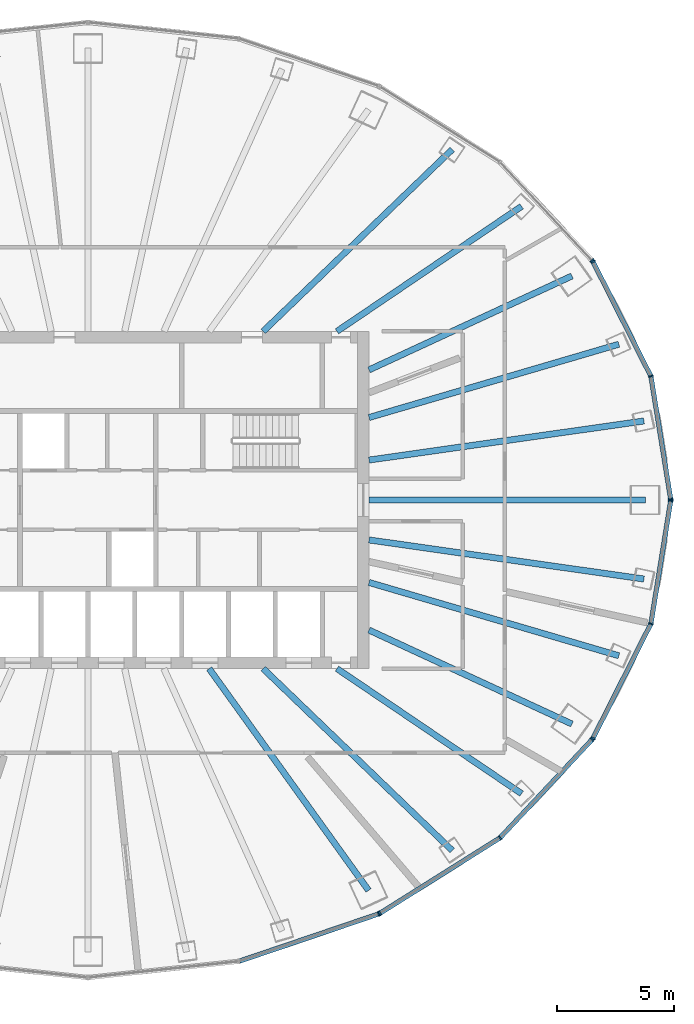
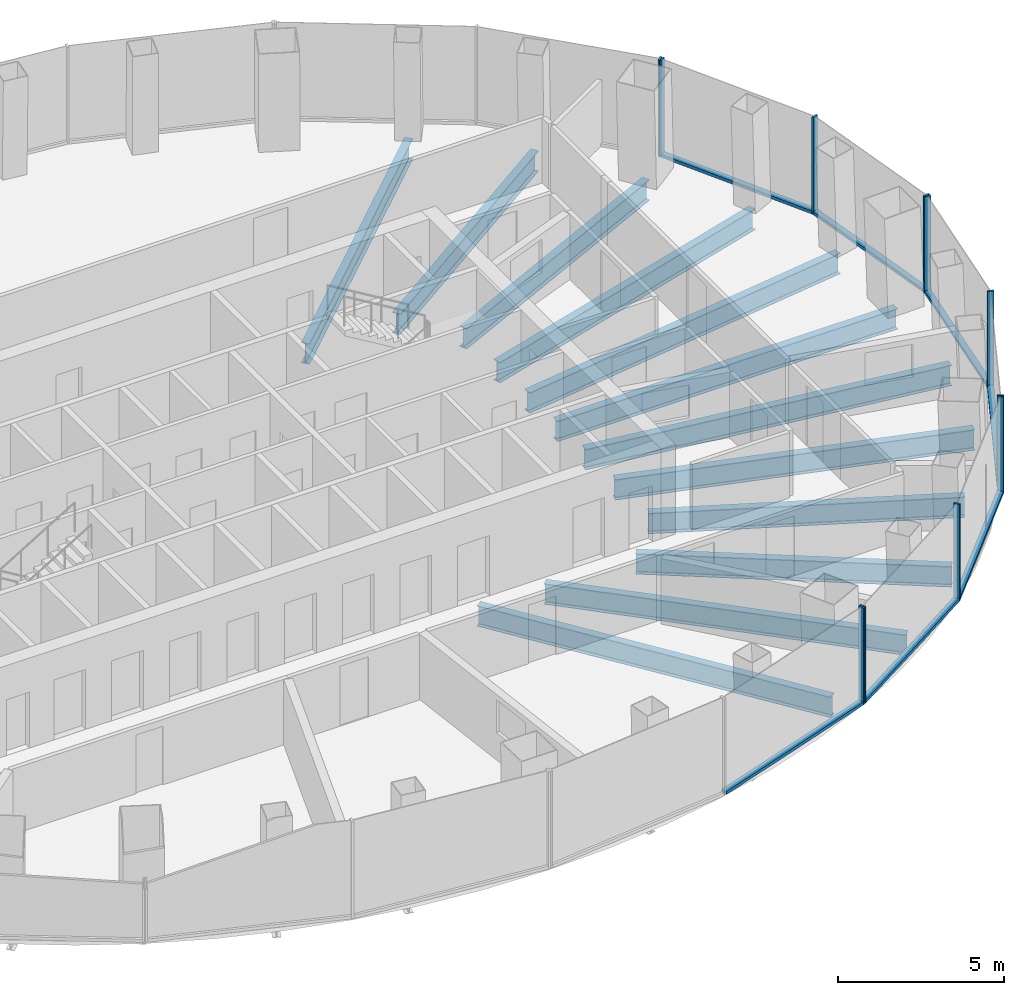
# One storey, part 4 of 12: 18 members, 12 beams, 5 elements without a shape of their own.
"""IFC4 building model written with IfcOpenShell, lengths in metres."""

from ifc_helpers import new_model, si_unit, direction, frame, origin, origin_2d, place, context, subcontext, project, spatial, rectangle, i_section, extrude, material, layer, layer_set, material_profile, profile_set, type_object, element, aggregate, save


model = new_model("IFC4")

# Units and contexts
model_context = context("Model", 3, precision=1e-05, world=origin(), true_north=direction((0.0, 1.0)))
body_context = subcontext(model_context, "Body", "Model", "MODEL_VIEW")
ifc_project = project(units=[si_unit("LENGTHUNIT", "METRE"), si_unit("AREAUNIT", "SQUARE_METRE"), si_unit("VOLUMEUNIT", "CUBIC_METRE"), si_unit("PLANEANGLEUNIT", "RADIAN"), si_unit("MASSUNIT", "GRAM", prefix="KILO")], contexts=[model_context])

# Site, building, storey
site_placement = place(None, origin())
site = spatial("IfcSite", under=ifc_project, at=site_placement, CompositionType="ELEMENT")
building_placement = place(site_placement, origin())
building = spatial("IfcBuilding", under=site, at=building_placement, Name="Siaravel Broadcast Tower", CompositionType="ELEMENT")
storey_placement = place(building_placement, frame((0.0, 0.0, 134.10009765625)))
storey = spatial("IfcBuildingStorey", under=building, at=storey_placement, Name="L32", CompositionType="ELEMENT", Elevation=134.10009765625)

# Beams
ifc_material_1 = material(Name="Steel S355", Category="steel")
ifc_material_profile_1 = material_profile(ifc_material_1, i_section(OverallWidth=0.26513671875, OverallDepth=0.75390625, WebThickness=0.0126953125, FlangeThickness=0.017578125, FilletRadius=0.0166015625, at=origin_2d()))
ifc_profile_set_1 = profile_set([ifc_material_profile_1], Name="Steel S355")
beam_type = type_object("IfcBeamType", Name="BM-UB 762x267x147", PredefinedType="BEAM", material=ifc_profile_set_1)
beam_1_placement = place(storey_placement, frame((23.801025390625, 0.0, -0.527099609375), z_axis=(-1.0, 0.0, 0.0), x_axis=(0.0, -1.0, 0.0)))
element("IfcBeam", 1, at=beam_1_placement, inside=storey, type_object=beam_type, Name="Radial beam RB01", PredefinedType="BEAM", context=body_context, shape_type="SweptSolid", body=[
    extrude(i_section(OverallWidth=0.26513671875, OverallDepth=0.75390625, WebThickness=0.0126953125, FlangeThickness=0.017578125, FilletRadius=0.0166015625, at=origin_2d()), origin(), (0.0, 0.0, 1.0), 11.801025390625),
])
beam_2_placement = place(storey_placement, frame((23.740478515625, 3.37353515625, -0.527099609375), z_axis=(-0.990052581, -0.140697859, 0.0), x_axis=(0.140697859, -0.990052581, 0.0)))
element("IfcBeam", 2, at=beam_2_placement, inside=storey, type_object=beam_type, Name="Radial beam RB02", PredefinedType="BEAM", context=body_context, shape_type="SweptSolid", body=[
    extrude(i_section(OverallWidth=0.26513671875, OverallDepth=0.75390625, WebThickness=0.0126953125, FlangeThickness=0.017578125, FilletRadius=0.0166015625, at=origin_2d()), origin(), (0.0, 0.0, 1.0), 11.8583984375),
])
beam_3_placement = place(storey_placement, frame((22.668212890625, 6.651123046875, -0.527099609375), z_axis=(-0.959549921, -0.281538539, 0.0), x_axis=(0.281538539, -0.959549921, 0.0)))
element("IfcBeam", 3, at=beam_3_placement, inside=storey, type_object=beam_type, Name="Radial beam RB03", PredefinedType="BEAM", context=body_context, shape_type="SweptSolid", body=[
    extrude(i_section(OverallWidth=0.26513671875, OverallDepth=0.75390625, WebThickness=0.0126953125, FlangeThickness=0.017578125, FilletRadius=0.0166015625, at=origin_2d()), origin(), (0.0, 0.0, 1.0), 11.117919921875),
])
beam_4_placement = place(storey_placement, frame((20.665771484375, 9.564697265625, -0.527099609375), z_axis=(-0.907514375, -0.420021022, 0.0), x_axis=(0.420021022, -0.907514375, 0.0)))
element("IfcBeam", 4, at=beam_4_placement, inside=storey, type_object=beam_type, Name="Radial beam RB04", PredefinedType="BEAM", context=body_context, shape_type="SweptSolid", body=[
    extrude(i_section(OverallWidth=0.26513671875, OverallDepth=0.75390625, WebThickness=0.0126953125, FlangeThickness=0.017578125, FilletRadius=0.0166015625, at=origin_2d()), origin(), (0.0, 0.0, 1.0), 9.548828125),
])
beam_5_placement = place(storey_placement, frame((18.516357421875, 12.538330078125, -0.527099609375), z_axis=(-0.82802046, -0.560697884, 0.0), x_axis=(0.560697884, -0.82802046, 0.0)))
element("IfcBeam", 5, at=beam_5_placement, inside=storey, type_object=beam_type, Name="Radial beam RB05", PredefinedType="BEAM", context=body_context, shape_type="SweptSolid", body=[
    extrude(i_section(OverallWidth=0.26513671875, OverallDepth=0.75390625, WebThickness=0.0126953125, FlangeThickness=0.017578125, FilletRadius=0.0166015625, at=origin_2d()), origin(), (0.0, 0.0, 1.0), 9.52099609375),
])
beam_6_placement = place(storey_placement, frame((15.552978515625, 14.965576171875, -0.527099609375), z_axis=(-0.720578335, -0.693373538, 0.0), x_axis=(0.693373538, -0.720578335, 0.0)))
element("IfcBeam", 6, at=beam_6_placement, inside=storey, type_object=beam_type, Name="Radial beam RB06", PredefinedType="BEAM", context=body_context, shape_type="SweptSolid", body=[
    extrude(i_section(OverallWidth=0.26513671875, OverallDepth=0.75390625, WebThickness=0.0126953125, FlangeThickness=0.017578125, FilletRadius=0.0166015625, at=origin_2d()), origin(), (0.0, 0.0, 1.0), 11.19970703125),
])
beam_7_placement = place(storey_placement, frame((11.980224609375, -16.669677734375, -0.527099609375), z_axis=(-0.58359636, 0.812043895, 0.0), x_axis=(-0.812043895, -0.58359636, 0.0)))
element("IfcBeam", 7, at=beam_7_placement, inside=storey, type_object=beam_type, Name="Radial beam RB31", PredefinedType="BEAM", context=body_context, shape_type="SweptSolid", body=[
    extrude(i_section(OverallWidth=0.26513671875, OverallDepth=0.75390625, WebThickness=0.0126953125, FlangeThickness=0.017578125, FilletRadius=0.0166015625, at=origin_2d()), origin(), (0.0, 0.0, 1.0), 11.66162109375),
])
beam_8_placement = place(storey_placement, frame((15.552978515625, -14.965576171875, -0.527099609375), z_axis=(-0.720578335, 0.693373538, 0.0), x_axis=(-0.693373538, -0.720578335, 0.0)))
element("IfcBeam", 8, at=beam_8_placement, inside=storey, type_object=beam_type, Name="Radial beam RB32", PredefinedType="BEAM", context=body_context, shape_type="SweptSolid", body=[
    extrude(i_section(OverallWidth=0.26513671875, OverallDepth=0.75390625, WebThickness=0.0126953125, FlangeThickness=0.017578125, FilletRadius=0.0166015625, at=origin_2d()), origin(), (0.0, 0.0, 1.0), 11.19970703125),
])
beam_9_placement = place(storey_placement, frame((18.516357421875, -12.538330078125, -0.527099609375), z_axis=(-0.82802046, 0.560697884, 0.0), x_axis=(-0.560697884, -0.82802046, 0.0)))
element("IfcBeam", 9, at=beam_9_placement, inside=storey, type_object=beam_type, Name="Radial beam RB33", PredefinedType="BEAM", context=body_context, shape_type="SweptSolid", body=[
    extrude(i_section(OverallWidth=0.26513671875, OverallDepth=0.75390625, WebThickness=0.0126953125, FlangeThickness=0.017578125, FilletRadius=0.0166015625, at=origin_2d()), origin(), (0.0, 0.0, 1.0), 9.52099609375),
])
beam_10_placement = place(storey_placement, frame((20.665771484375, -9.564697265625, -0.527099609375), z_axis=(-0.907514375, 0.420021022, 0.0), x_axis=(-0.420021022, -0.907514375, 0.0)))
element("IfcBeam", 10, at=beam_10_placement, inside=storey, type_object=beam_type, Name="Radial beam RB34", PredefinedType="BEAM", context=body_context, shape_type="SweptSolid", body=[
    extrude(i_section(OverallWidth=0.26513671875, OverallDepth=0.75390625, WebThickness=0.0126953125, FlangeThickness=0.017578125, FilletRadius=0.0166015625, at=origin_2d()), origin(), (0.0, 0.0, 1.0), 9.548828125),
])
beam_11_placement = place(storey_placement, frame((22.668212890625, -6.651123046875, -0.527099609375), z_axis=(-0.959549921, 0.281538539, 0.0), x_axis=(-0.281538539, -0.959549921, 0.0)))
element("IfcBeam", 11, at=beam_11_placement, inside=storey, type_object=beam_type, Name="Radial beam RB35", PredefinedType="BEAM", context=body_context, shape_type="SweptSolid", body=[
    extrude(i_section(OverallWidth=0.26513671875, OverallDepth=0.75390625, WebThickness=0.0126953125, FlangeThickness=0.017578125, FilletRadius=0.0166015625, at=origin_2d()), origin(), (0.0, 0.0, 1.0), 11.117919921875),
])
beam_12_placement = place(storey_placement, frame((23.740478515625, -3.37353515625, -0.527099609375), z_axis=(-0.990052581, 0.140697859, 0.0), x_axis=(-0.140697859, -0.990052581, 0.0)))
element("IfcBeam", 12, at=beam_12_placement, inside=storey, type_object=beam_type, Name="Radial beam RB36", PredefinedType="BEAM", context=body_context, shape_type="SweptSolid", body=[
    extrude(i_section(OverallWidth=0.26513671875, OverallDepth=0.75390625, WebThickness=0.0126953125, FlangeThickness=0.017578125, FilletRadius=0.0166015625, at=origin_2d()), origin(), (0.0, 0.0, 1.0), 11.8583984375),
])

# Curtain wall, members
ifc_material_2 = material(Name="Aluminium 6063-T6", Category="aluminium")
ifc_layer = layer(ifc_material_2, 0.199951171875)
ifc_layer_set = layer_set([ifc_layer], Name="Aluminium 6063-T6")
curtain_wall_type = type_object("IfcCurtainWallType", Name="Unitised curtain wall, zone 2", PredefinedType="NOTDEFINED", material=ifc_layer_set)
curtain_wall_1_placement = place(storey_placement, origin())
curtain_wall_1 = element("IfcCurtainWall", 13, at=curtain_wall_1_placement, inside=storey, type_object=curtain_wall_type, Name="L32 Unitised curtain wall, zone 2 01", PredefinedType="NOTDEFINED")
ifc_material_profile_2 = material_profile(ifc_material_2, rectangle(XDim=0.199951171875, YDim=0.06494140625, at=origin_2d()))
ifc_profile_set_2 = profile_set([ifc_material_profile_2], Name="Aluminium 6063-T6")
member_type_1 = type_object("IfcMemberType", Name="CW-Z2 mullion", PredefinedType="MULLION", material=ifc_profile_set_2)
member_1_placement = place(storey_placement, frame((24.881591796875, 0.031982421875, 0.0), z_axis=(0.0, 0.0, 1.0), x_axis=(-0.987329298, -0.158684773, 0.0)))
member_1 = element("IfcMember", 14, at=member_1_placement, type_object=member_type_1, Name="CW-Z2 mullion 1", PredefinedType="MULLION", context=body_context, shape_type="SweptSolid", body=[
    extrude(rectangle(XDim=0.199951171875, YDim=0.06494140625, at=origin_2d()), origin(), (0.0, 0.0, 1.0), 3.5498046875),
])
member_2_placement = place(storey_placement, frame((24.0380859375, 5.281005859375, 0.0), z_axis=(0.0, 0.0, 1.0), x_axis=(-0.951177626, -0.308644007, 0.0)))
member_2 = element("IfcMember", 15, at=member_2_placement, type_object=member_type_1, Name="CW-Z2 mullion 2", PredefinedType="MULLION", context=body_context, shape_type="SweptSolid", body=[
    extrude(rectangle(XDim=0.199951171875, YDim=0.06494140625, at=origin_2d()), origin(), (0.0, 0.0, 1.0), 3.5498046875),
])
member_3_placement = place(storey_placement, frame((21.56494140625, 10.172119140625, 0.0), z_axis=(0.0, 0.0, 1.0), x_axis=(-0.892392954, -0.451259145, 0.0)))
member_3 = element("IfcMember", 16, at=member_3_placement, type_object=member_type_1, Name="CW-Z2 mullion 3", PredefinedType="MULLION", context=body_context, shape_type="SweptSolid", body=[
    extrude(rectangle(XDim=0.199951171875, YDim=0.06494140625, at=origin_2d()), origin(), (0.0, 0.0, 1.0), 3.5498046875),
])

# Curtain wall, member
curtain_wall_2_placement = place(storey_placement, origin())
curtain_wall_2 = element("IfcCurtainWall", 17, at=curtain_wall_2_placement, inside=storey, type_object=curtain_wall_type, Name="L32 Unitised curtain wall, zone 2 02", PredefinedType="NOTDEFINED")
member_4_placement = place(storey_placement, frame((21.528076171875, 10.224609375, 0.0), z_axis=(0.0, 0.0, 1.0), x_axis=(-0.729806913, -0.683653326, 0.0)))
member_4 = element("IfcMember", 18, at=member_4_placement, type_object=member_type_1, Name="CW-Z2 mullion 1", PredefinedType="MULLION", context=body_context, shape_type="SweptSolid", body=[
    extrude(rectangle(XDim=0.199951171875, YDim=0.06494140625, at=origin_2d()), origin(), (0.0, 0.0, 1.0), 3.5498046875),
])
aggregate(curtain_wall_2, [member_4])

curtain_wall_3_placement = place(storey_placement, origin())
curtain_wall_3 = element("IfcCurtainWall", 19, at=curtain_wall_3_placement, inside=storey, type_object=curtain_wall_type, Name="L32 Unitised curtain wall, zone 2 10", PredefinedType="NOTDEFINED")
member_5_placement = place(storey_placement, frame((12.408935546875, -17.67431640625, 0.0), z_axis=(0.0, 0.0, 1.0), x_axis=(-0.321302097, 0.946976749, 0.0)))
member_5 = element("IfcMember", 20, at=member_5_placement, type_object=member_type_1, Name="CW-Z2 mullion 3", PredefinedType="MULLION", context=body_context, shape_type="SweptSolid", body=[
    extrude(rectangle(XDim=0.199951171875, YDim=0.06494140625, at=origin_2d()), origin(), (0.0, 0.0, 1.0), 3.5498046875),
])

# Curtain wall, members
curtain_wall_4_placement = place(storey_placement, origin())
curtain_wall_4 = element("IfcCurtainWall", 21, at=curtain_wall_4_placement, inside=storey, type_object=curtain_wall_type, Name="L32 Unitised curtain wall, zone 2 11", PredefinedType="NOTDEFINED")
member_6_placement = place(storey_placement, frame((12.46728515625, -17.646484375, 0.0), z_axis=(0.0, 0.0, 1.0), x_axis=(-0.532151141, 0.846649374, 0.0)))
member_6 = element("IfcMember", 22, at=member_6_placement, type_object=member_type_1, Name="CW-Z2 mullion 1", PredefinedType="MULLION", context=body_context, shape_type="SweptSolid", body=[
    extrude(rectangle(XDim=0.199951171875, YDim=0.06494140625, at=origin_2d()), origin(), (0.0, 0.0, 1.0), 3.5498046875),
])
member_7_placement = place(storey_placement, frame((17.593994140625, -14.42431640625, 0.0), z_axis=(0.0, 0.0, 1.0), x_axis=(-0.63622045, 0.771507317, 0.0)))
member_7 = element("IfcMember", 23, at=member_7_placement, type_object=member_type_1, Name="CW-Z2 mullion 2", PredefinedType="MULLION", context=body_context, shape_type="SweptSolid", body=[
    extrude(rectangle(XDim=0.199951171875, YDim=0.06494140625, at=origin_2d()), origin(), (0.0, 0.0, 1.0), 3.5498046875),
])
member_8_placement = place(storey_placement, frame((21.528076171875, -10.224609375, 0.0), z_axis=(0.0, 0.0, 1.0), x_axis=(-0.729806913, 0.683653326, 0.0)))
member_8 = element("IfcMember", 24, at=member_8_placement, type_object=member_type_1, Name="CW-Z2 mullion 3", PredefinedType="MULLION", context=body_context, shape_type="SweptSolid", body=[
    extrude(rectangle(XDim=0.199951171875, YDim=0.06494140625, at=origin_2d()), origin(), (0.0, 0.0, 1.0), 3.5498046875),
])

curtain_wall_5_placement = place(storey_placement, origin())
curtain_wall_5 = element("IfcCurtainWall", 25, at=curtain_wall_5_placement, inside=storey, type_object=curtain_wall_type, Name="L32 Unitised curtain wall, zone 2 12", PredefinedType="NOTDEFINED")
member_9_placement = place(storey_placement, frame((21.56494140625, -10.172119140625, 0.0), z_axis=(0.0, 0.0, 1.0), x_axis=(-0.892392954, 0.451259145, 0.0)))
member_9 = element("IfcMember", 26, at=member_9_placement, type_object=member_type_1, Name="CW-Z2 mullion 1", PredefinedType="MULLION", context=body_context, shape_type="SweptSolid", body=[
    extrude(rectangle(XDim=0.199951171875, YDim=0.06494140625, at=origin_2d()), origin(), (0.0, 0.0, 1.0), 3.5498046875),
])
member_10_placement = place(storey_placement, frame((24.0380859375, -5.281005859375, 0.0), z_axis=(0.0, 0.0, 1.0), x_axis=(-0.951177626, 0.308644007, 0.0)))
member_10 = element("IfcMember", 27, at=member_10_placement, type_object=member_type_1, Name="CW-Z2 mullion 2", PredefinedType="MULLION", context=body_context, shape_type="SweptSolid", body=[
    extrude(rectangle(XDim=0.199951171875, YDim=0.06494140625, at=origin_2d()), origin(), (0.0, 0.0, 1.0), 3.5498046875),
])
member_11_placement = place(storey_placement, frame((24.881591796875, -0.031982421875, 0.0), z_axis=(0.0, 0.0, 1.0), x_axis=(-0.987329298, 0.158684773, 0.0)))
member_11 = element("IfcMember", 28, at=member_11_placement, type_object=member_type_1, Name="CW-Z2 mullion 3", PredefinedType="MULLION", context=body_context, shape_type="SweptSolid", body=[
    extrude(rectangle(XDim=0.199951171875, YDim=0.06494140625, at=origin_2d()), origin(), (0.0, 0.0, 1.0), 3.5498046875),
])

# Member
ifc_material_profile_3 = material_profile(ifc_material_2, rectangle(XDim=0.199951171875, YDim=0.110107421875, at=origin_2d()))
ifc_profile_set_3 = profile_set([ifc_material_profile_3], Name="Aluminium 6063-T6")
member_type_2 = type_object("IfcMemberType", Name="CW-Z2 transom", PredefinedType="USERDEFINED", material=ifc_profile_set_3)
member_12_placement = place(storey_placement, frame((24.876708984375, 0.064208984375, 0.054931640625), z_axis=(-0.158726655, 0.987322566, 0.0), x_axis=(-0.987322566, -0.158726655, 0.0)))
member_12 = element("IfcMember", 29, at=member_12_placement, type_object=member_type_2, Name="CW-Z2 transom 1", ObjectType="TRANSOM", PredefinedType="USERDEFINED", context=body_context, shape_type="SweptSolid", body=[
    extrude(rectangle(XDim=0.199951171875, YDim=0.110107421875, at=origin_2d()), origin(), (0.0, 0.0, 1.0), 5.251220703125),
])

member_13_placement = place(storey_placement, frame((24.0234375, 5.31005859375, 0.054931640625), z_axis=(-0.45124818, 0.892398498, 0.0), x_axis=(-0.892398498, -0.45124818, 0.0)))
member_13 = element("IfcMember", 30, at=member_13_placement, type_object=member_type_2, Name="CW-Z2 transom 2", ObjectType="TRANSOM", PredefinedType="USERDEFINED", context=body_context, shape_type="SweptSolid", body=[
    extrude(rectangle(XDim=0.199951171875, YDim=0.110107421875, at=origin_2d()), origin(), (0.0, 0.0, 1.0), 5.415771484375),
])

aggregate(curtain_wall_1, [member_1, member_2, member_3, member_12, member_13])

member_14_placement = place(storey_placement, frame((6.4697265625, -19.689453125, 0.054931640625), z_axis=(0.946983377, 0.32128256, 0.0), x_axis=(-0.32128256, 0.946983377, 0.0)))
member_14 = element("IfcMember", 31, at=member_14_placement, type_object=member_type_2, Name="CW-Z2 transom 2", ObjectType="TRANSOM", PredefinedType="USERDEFINED", context=body_context, shape_type="SweptSolid", body=[
    extrude(rectangle(XDim=0.199951171875, YDim=0.110107421875, at=origin_2d()), origin(), (0.0, 0.0, 1.0), 6.239501953125),
])

aggregate(curtain_wall_3, [member_5, member_14])

member_15_placement = place(storey_placement, frame((12.494873046875, -17.62939453125, 0.054931640625), z_axis=(0.84664232, 0.532162364, 0.0), x_axis=(-0.532162364, 0.84664232, 0.0)))
member_15 = element("IfcMember", 32, at=member_15_placement, type_object=member_type_2, Name="CW-Z2 transom 1", ObjectType="TRANSOM", PredefinedType="USERDEFINED", context=body_context, shape_type="SweptSolid", body=[
    extrude(rectangle(XDim=0.199951171875, YDim=0.110107421875, at=origin_2d()), origin(), (0.0, 0.0, 1.0), 5.990234375),
])

member_16_placement = place(storey_placement, frame((17.6162109375, -14.400634765625, 0.054931640625), z_axis=(0.683644181, 0.72981548, 0.0), x_axis=(-0.72981548, 0.683644181, 0.0)))
member_16 = element("IfcMember", 33, at=member_16_placement, type_object=member_type_2, Name="CW-Z2 transom 2", ObjectType="TRANSOM", PredefinedType="USERDEFINED", context=body_context, shape_type="SweptSolid", body=[
    extrude(rectangle(XDim=0.199951171875, YDim=0.110107421875, at=origin_2d()), origin(), (0.0, 0.0, 1.0), 5.689697265625),
])

aggregate(curtain_wall_4, [member_6, member_7, member_8, member_15, member_16])

member_17_placement = place(storey_placement, frame((21.57958984375, -10.14306640625, 0.054931640625), z_axis=(0.45124818, 0.892398498, 0.0), x_axis=(-0.892398498, 0.45124818, 0.0)))
member_17 = element("IfcMember", 34, at=member_17_placement, type_object=member_type_2, Name="CW-Z2 transom 1", ObjectType="TRANSOM", PredefinedType="USERDEFINED", context=body_context, shape_type="SweptSolid", body=[
    extrude(rectangle(XDim=0.199951171875, YDim=0.110107421875, at=origin_2d()), origin(), (0.0, 0.0, 1.0), 5.415771484375),
])

member_18_placement = place(storey_placement, frame((24.043212890625, -5.248779296875, 0.054931640625), z_axis=(0.158726655, 0.987322566, 0.0), x_axis=(-0.987322566, 0.158726655, 0.0)))
member_18 = element("IfcMember", 35, at=member_18_placement, type_object=member_type_2, Name="CW-Z2 transom 2", ObjectType="TRANSOM", PredefinedType="USERDEFINED", context=body_context, shape_type="SweptSolid", body=[
    extrude(rectangle(XDim=0.199951171875, YDim=0.110107421875, at=origin_2d()), origin(), (0.0, 0.0, 1.0), 5.251220703125),
])

aggregate(curtain_wall_5, [member_9, member_10, member_11, member_17, member_18])

save(model, "model.ifc")
